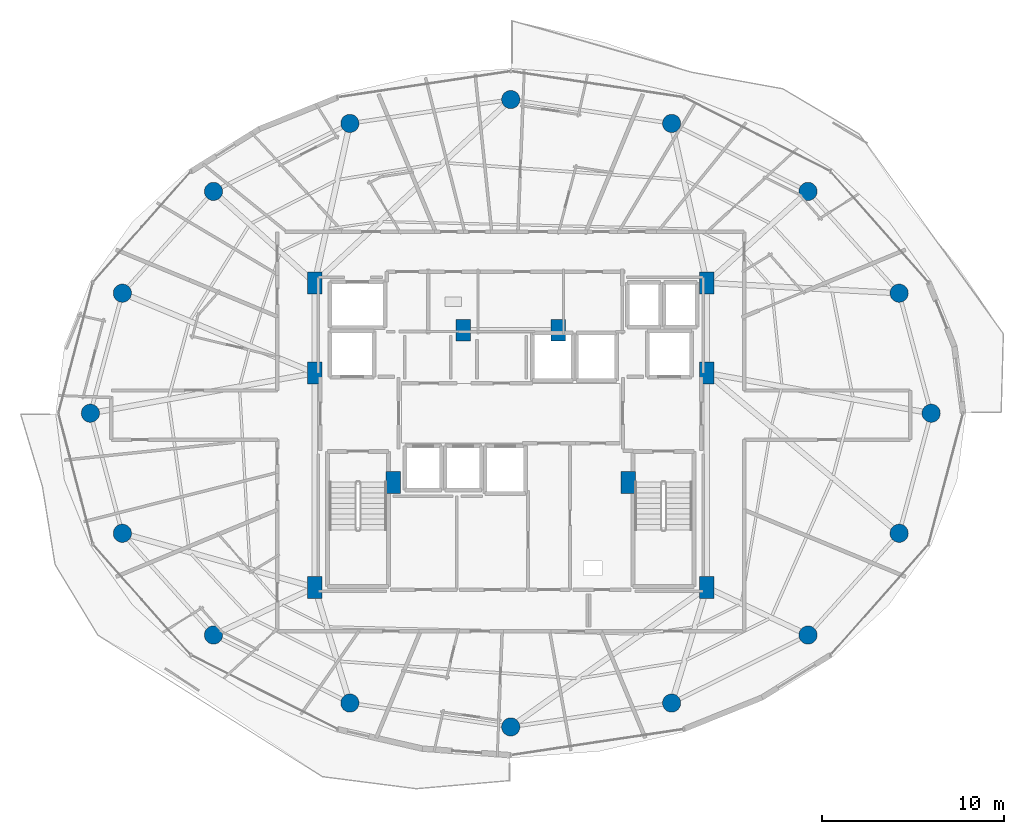
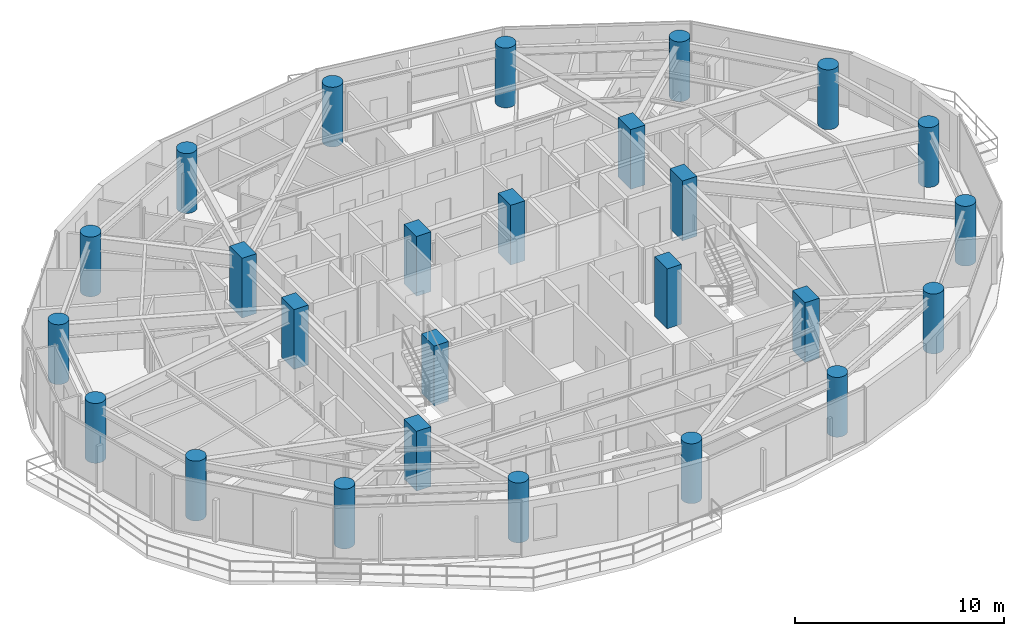
# One storey, part 1 of 28: 26 columns.
"""IFC4 building model written with IfcOpenShell, lengths in metres."""

from ifc_helpers import new_model, si_unit, direction, frame, origin, origin_2d, place, context, subcontext, project, spatial, rectangle, circle, extrude, material, material_profile, profile_set, type_object, element, save


model = new_model("IFC4")

# Units and contexts
model_context = context("Model", 3, precision=1e-05, world=origin(), true_north=direction((0.0, 1.0)))
body_context = subcontext(model_context, "Body", "Model", "MODEL_VIEW")
ifc_project = project(units=[si_unit("LENGTHUNIT", "METRE"), si_unit("AREAUNIT", "SQUARE_METRE"), si_unit("VOLUMEUNIT", "CUBIC_METRE"), si_unit("PLANEANGLEUNIT", "RADIAN"), si_unit("MASSUNIT", "GRAM", prefix="KILO")], contexts=[model_context])

# Site, building, storey
site_placement = place(None, origin())
site = spatial("IfcSite", under=ifc_project, at=site_placement, CompositionType="ELEMENT")
building_placement = place(site_placement, origin())
building = spatial("IfcBuilding", under=site, at=building_placement, Name="Vorneva Point Tower", CompositionType="ELEMENT")
storey_placement = place(building_placement, frame((0.0, 0.0, 143.10009765625)))
storey = spatial("IfcBuildingStorey", under=building, at=storey_placement, Name="L38", CompositionType="ELEMENT", Elevation=143.10009765625)

# Columns
ifc_material = material(Name="Concrete B60 (C50/60)", Category="concrete")
ifc_material_profile_1 = material_profile(ifc_material, circle(Radius=0.5, at=origin_2d()), Name="RC-CIRC 1000")
ifc_profile_set_1 = profile_set([ifc_material_profile_1], Name="Concrete B60 (C50/60)")
column_type_1 = type_object("IfcColumnType", Name="COL-RC1000C", PredefinedType="COLUMN", material=ifc_profile_set_1)
for number, where, z_axis, x_axis, name in (
    (1, (61.050048828125, 26.0, 0.0), (0.0, 0.0, 1.0), (1.0, 0.0, 0.0), "L38 Perimeter Column P01"),
    (2, (59.29541015625, 32.582275390625, 0.0), (0.0, 0.0, 1.0), (0.923879532511, 0.382683432365, 0.0), "L38 Perimeter Column P02"),
    (3, (54.298828125, 38.162109375, 0.0), (0.0, 0.0, 1.0), (0.707106781187, 0.707106781187, 0.0), "L38 Perimeter Column P03"),
    (4, (46.82080078125, 41.890625, 0.0), (0.0, 0.0, 1.0), (0.382683432365, 0.923879532511, 0.0), "L38 Perimeter Column P04"),
    (5, (38.0, 43.199951171875, 0.0), (0.0, 0.0, 1.0), (0.0, 1.0, 0.0), "L38 Perimeter Column P05"),
    (6, (29.17919921875, 41.890625, 0.0), (0.0, 0.0, 1.0), (-0.382683432365, 0.923879532511, 0.0), "L38 Perimeter Column P06"),
    (7, (21.701171875, 38.162109375, 0.0), (0.0, 0.0, 1.0), (-0.707106781187, 0.707106781187, 0.0), "L38 Perimeter Column P07"),
    (8, (16.70458984375, 32.582275390625, 0.0), (0.0, 0.0, 1.0), (-0.923879532511, 0.382683432365, 0.0), "L38 Perimeter Column P08"),
    (9, (14.949951171875, 26.0, 0.0), (0.0, 0.0, 1.0), (-1.0, 0.0, 0.0), "L38 Perimeter Column P09"),
    (10, (16.70458984375, 19.417724609375, 0.0), (0.0, 0.0, 1.0), (-0.923879532511, -0.382683432365, 0.0), "L38 Perimeter Column P10"),
    (11, (21.701171875, 13.837890625, 0.0), (0.0, 0.0, 1.0), (-0.707106781187, -0.707106781187, 0.0), "L38 Perimeter Column P11"),
    (12, (29.17919921875, 10.109375, 0.0), (0.0, 0.0, 1.0), (-0.382683432365, -0.923879532511, 0.0), "L38 Perimeter Column P12"),
    (13, (38.0, 8.800048828125, 0.0), (0.0, 0.0, 1.0), (0.0, -1.0, 0.0), "L38 Perimeter Column P13"),
    (14, (46.82080078125, 10.109375, 0.0), (0.0, 0.0, 1.0), (0.382683432365, -0.923879532511, 0.0), "L38 Perimeter Column P14"),
    (15, (54.298828125, 13.837890625, 0.0), (0.0, 0.0, 1.0), (0.707106781187, -0.707106781187, 0.0), "L38 Perimeter Column P15"),
    (16, (59.29541015625, 19.417724609375, 0.0), (0.0, 0.0, 1.0), (0.923879532511, -0.382683432365, 0.0), "L38 Perimeter Column P16"),
):
    element("IfcColumn", number, at=place(storey_placement, frame(where, z_axis=z_axis, x_axis=x_axis)), inside=storey, type_object=column_type_1, Name=name, PredefinedType="COLUMN", context=body_context, shape_type="SweptSolid", body=[
        extrude(circle(Radius=0.5, at=origin_2d()), origin(), (0.0, 0.0, 1.0), 3.5),
    ])
ifc_material_profile_2 = material_profile(ifc_material, rectangle(XDim=0.800048828125, YDim=1.199951171875, at=origin_2d()), Name="RC-PIL 1200x800")
ifc_profile_set_2 = profile_set([ifc_material_profile_2], Name="Concrete B60 (C50/60)")
column_type_2 = type_object("IfcColumnType", Name="PIL-RC1200x800", PredefinedType="PILASTER", material=ifc_profile_set_2)
for number, where, z_axis, x_axis, name in (
    (17, (27.25, 16.449951171875, 0.0), (0.0, 0.0, 1.0), (1.0, 0.0, 0.0), "L38 Core Pilaster CP1"),
    (18, (27.25, 28.199951171875, 0.0), (0.0, 0.0, 1.0), (1.0, 0.0, 0.0), "L38 Core Pilaster CP2"),
    (19, (27.25, 33.14990234375, 0.0), (0.0, 0.0, 1.0), (1.0, 0.0, 0.0), "L38 Core Pilaster CP3"),
    (20, (31.550048828125, 22.199951171875, 0.0), (0.0, 0.0, 1.0), (1.0, 0.0, 0.0), "L38 Core Pilaster CP4"),
    (21, (48.75, 33.14990234375, 0.0), (0.0, 0.0, 1.0), (1.0, 0.0, 0.0), "L38 Core Pilaster CP5"),
    (22, (48.75, 28.199951171875, 0.0), (0.0, 0.0, 1.0), (1.0, 0.0, 0.0), "L38 Core Pilaster CP6"),
    (23, (48.75, 16.449951171875, 0.0), (0.0, 0.0, 1.0), (1.0, 0.0, 0.0), "L38 Core Pilaster CP7"),
    (24, (44.449951171875, 22.199951171875, 0.0), (0.0, 0.0, 1.0), (1.0, 0.0, 0.0), "L38 Core Pilaster CP8"),
    (25, (35.39990234375, 30.550048828125, 0.0), (0.0, 0.0, 1.0), (1.0, 0.0, 0.0), "L38 Core Pilaster CP9"),
    (26, (40.60009765625, 30.550048828125, 0.0), (0.0, 0.0, 1.0), (1.0, 0.0, 0.0), "L38 Core Pilaster CP10"),
):
    element("IfcColumn", number, at=place(storey_placement, frame(where, z_axis=z_axis, x_axis=x_axis)), inside=storey, type_object=column_type_2, Name=name, PredefinedType="PILASTER", context=body_context, shape_type="SweptSolid", body=[
        extrude(rectangle(XDim=0.800048828125, YDim=1.199951171875, at=origin_2d()), origin(), (0.0, 0.0, 1.0), 3.5),
    ])

save(model, "model.ifc")
